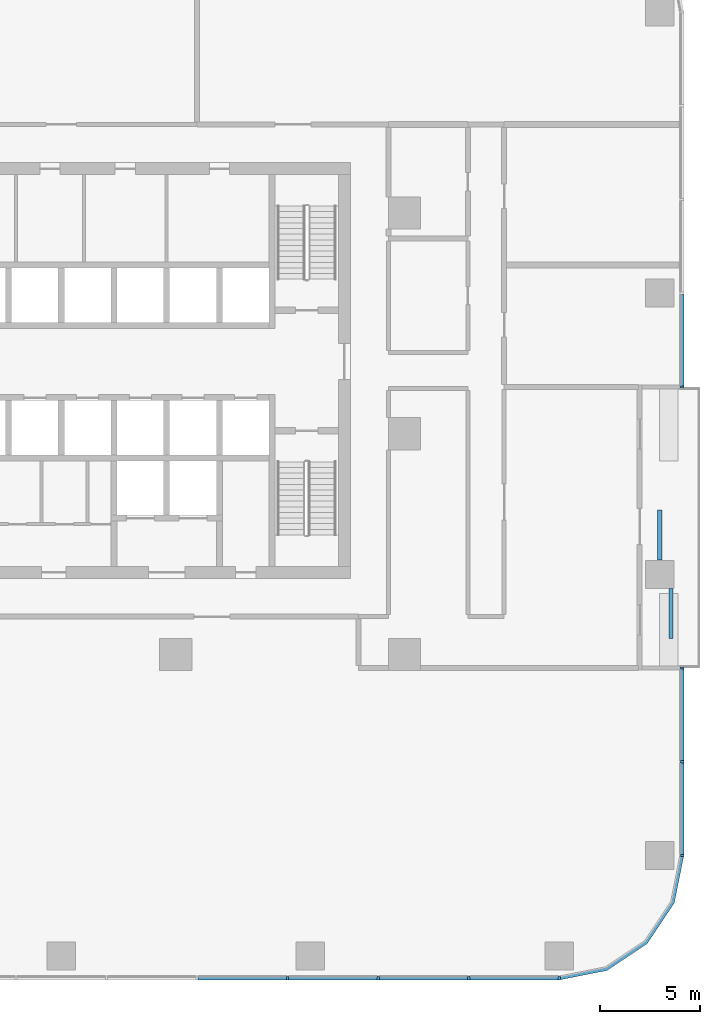
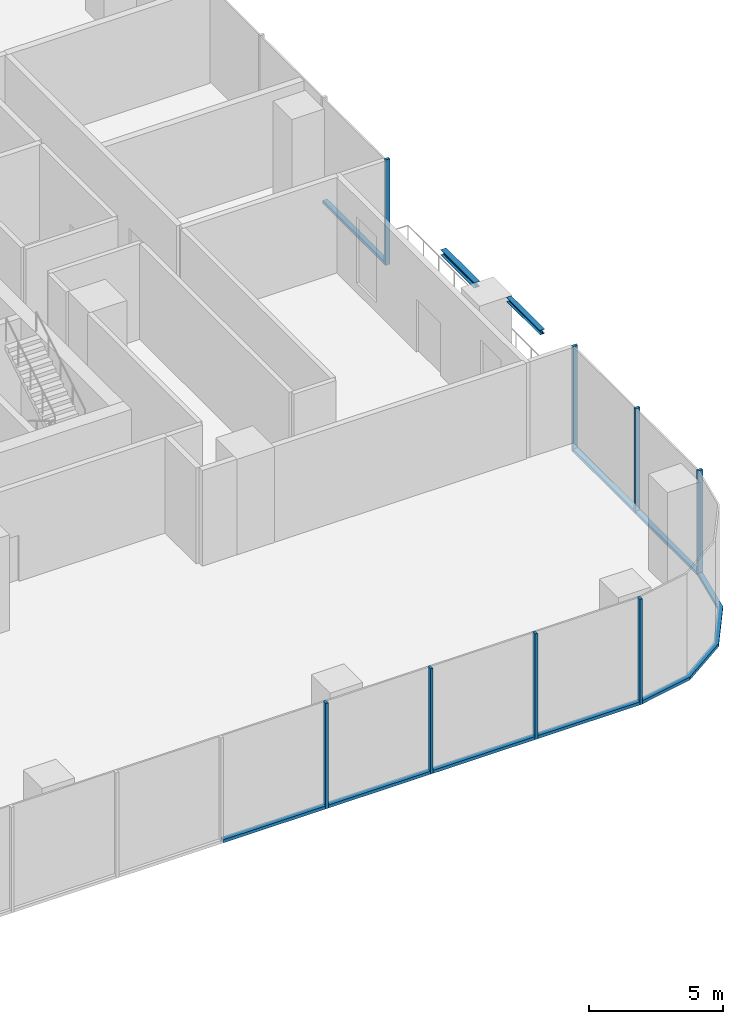
# One storey, part 3 of 14: 16 members, 2 beams, 4 elements without a shape of their own.
"""IFC4 building model written with IfcOpenShell, lengths in metres."""

import ifcopenshell
import ifcopenshell.guid

model = None  # the IFC model being written
_history = None  # IfcOwnerHistory: only IFC2X3 demands one
_inside = {}  # id of a spatial element -> (the spatial element, [elements in it])
_under = {}  # id of a project, library or spatial element -> (it, [spatial elements below it])
_declared = {}  # id of a project -> (the project, [libraries it declares])
_typed = {}  # id of a type object -> (the type object, [elements of that type])
_made_of = {}  # id of a material, layer set ... -> (it, [elements and type objects made of it])


def new_model(schema):
    """Start an empty IFC model of exactly this schema.

    Asked for "IFC4X3", IfcOpenShell would pick the latest addendum, in which some entities
    have other attributes; the version numbers below select the first issue.
    IFC2X3 requires an IfcOwnerHistory on every rooted entity: one is made here for all.
    """
    global model, _history
    if schema == "IFC4X3":
        model = ifcopenshell.file(schema_version=(4, 3, 0, 0))
    else:
        model = ifcopenshell.file(schema=schema)
    _inside.clear()
    _under.clear()
    _declared.clear()
    _typed.clear()
    _made_of.clear()
    _history = None
    if model.schema == "IFC2X3":
        org = make("IfcOrganization", Name="unknown")
        user = make(
            "IfcPersonAndOrganization",
            ThePerson=make("IfcPerson", FamilyName="unknown"),
            TheOrganization=org,
        )
        app = make(
            "IfcApplication",
            ApplicationDeveloper=org,
            Version="unknown",
            ApplicationFullName="unknown",
            ApplicationIdentifier="unknown",
        )
        _history = make(
            "IfcOwnerHistory",
            OwningUser=user,
            OwningApplication=app,
            ChangeAction="ADDED",
            CreationDate=0,
        )
    return model


def make(cls, **values):
    """One entity of the class cls with the attributes given. An attribute that is None is left unset."""
    return model.create_entity(
        cls, **{name: value for name, value in values.items() if value is not None}
    )


def rooted(cls, **values):
    """An entity with a GlobalId (a new one), such as an element, a storey or a relation."""
    return make(cls, GlobalId=ifcopenshell.guid.new(), OwnerHistory=_history, **values)


def si_unit(unit_type, name, prefix=None):
    """IfcSIUnit, for example si_unit("LENGTHUNIT", "METRE", prefix="MILLI")."""
    return make("IfcSIUnit", UnitType=unit_type, Prefix=prefix, Name=name)


def assignment(units):
    """IfcUnitAssignment: the units of a project."""
    return None if units is None else make("IfcUnitAssignment", Units=units)


def point(xyz):
    """IfcCartesianPoint."""
    return None if xyz is None else make("IfcCartesianPoint", Coordinates=xyz)


def direction(xyz):
    """IfcDirection."""
    return None if xyz is None else make("IfcDirection", DirectionRatios=xyz)


def frame(location, z_axis=None, x_axis=None):
    """IfcAxis2Placement3D, a coordinate frame: its origin and axes. An axis left out is left unset."""
    return make(
        "IfcAxis2Placement3D",
        Location=point(location),
        Axis=direction(z_axis),
        RefDirection=direction(x_axis),
    )


def frame_2d(location, x_axis=None):
    """IfcAxis2Placement2D, a coordinate frame in the plane: its origin and x axis."""
    return make(
        "IfcAxis2Placement2D", Location=point(location), RefDirection=direction(x_axis)
    )


def origin():
    """The frame at (0, 0, 0) with its axes left unset."""
    return frame((0.0, 0.0, 0.0))


def origin_2d():
    """The frame at (0, 0) in the plane with its x axis left unset."""
    return frame_2d((0.0, 0.0))


def place(relative_to, where):
    """IfcLocalPlacement: puts the frame where relative to a parent placement (None: the world)."""
    return make(
        "IfcLocalPlacement", PlacementRelTo=relative_to, RelativePlacement=where
    )


def context(
    kind, dimensions, precision=None, world=None, true_north=None, identifier=None
):
    """IfcGeometricRepresentationContext, for example the 3D "Model" context."""
    return make(
        "IfcGeometricRepresentationContext",
        ContextIdentifier=identifier,
        ContextType=kind,
        CoordinateSpaceDimension=dimensions,
        Precision=precision,
        WorldCoordinateSystem=world,
        TrueNorth=true_north,
    )


def subcontext(parent, identifier, kind, view, scale=None):
    """IfcGeometricRepresentationSubContext, for example "Body" below "Model"."""
    return make(
        "IfcGeometricRepresentationSubContext",
        ContextIdentifier=identifier,
        ContextType=kind,
        ParentContext=parent,
        TargetScale=scale,
        TargetView=view,
    )


def project(units=None, contexts=None):
    """IfcProject with its units and contexts."""
    return rooted(
        "IfcProject",
        Name="project",
        RepresentationContexts=contexts,
        UnitsInContext=assignment(units),
    )


def spatial(cls, under=None, at=None, **own):
    """A site, building, storey or space (cls), placed at a placement, below another one or the project."""
    s = rooted(cls, ObjectPlacement=at, **own)
    if under is not None:
        _under.setdefault(under.id(), (under, []))[1].append(s)
    return s


def polyline(points):
    """IfcPolyline through the points."""
    return make("IfcPolyline", Points=[point(p) for p in points])


def profile(cls, at=None, kind="AREA", **sizes):
    """A parametric profile (cls). Its sizes go by their IFC names, for example OverallWidth=200.0."""
    return make(cls, ProfileType=kind, Position=at, **sizes)


def rectangle(**sizes):
    """IfcRectangleProfileDef."""
    return profile("IfcRectangleProfileDef", **sizes)


def i_section(**sizes):
    """IfcIShapeProfileDef."""
    return profile("IfcIShapeProfileDef", **sizes)


def outline(outer, holes=None, kind="AREA"):
    """IfcArbitraryClosedProfileDef: a profile drawn as a closed curve; with holes, ...WithVoids."""
    if holes is None:
        return make("IfcArbitraryClosedProfileDef", ProfileType=kind, OuterCurve=outer)
    return make(
        "IfcArbitraryProfileDefWithVoids",
        ProfileType=kind,
        OuterCurve=outer,
        InnerCurves=holes,
    )


def extrude(swept, where, along, depth):
    """IfcExtrudedAreaSolid: the profile swept, set in the frame where, extruded along a direction by depth."""
    return make(
        "IfcExtrudedAreaSolid",
        SweptArea=swept,
        Position=where,
        ExtrudedDirection=direction(along),
        Depth=depth,
    )


def shape(context_of_items, identifier, shape_type, items):
    """IfcShapeRepresentation: the items that make up one representation, for example the "Body"."""
    return make(
        "IfcShapeRepresentation",
        ContextOfItems=context_of_items,
        RepresentationIdentifier=identifier,
        RepresentationType=shape_type,
        Items=items,
    )


def material(Name=None, Category=None):
    """IfcMaterial."""
    return make("IfcMaterial", Name=Name, Category=Category)


def material_profile(
    of_material, cross_section, Name=None, Category=None, Priority=None
):
    """IfcMaterialProfile: a cross section and its material."""
    return make(
        "IfcMaterialProfile",
        Name=Name,
        Material=of_material,
        Profile=cross_section,
        Priority=Priority,
        Category=Category,
    )


def profile_set(profiles, Name=None, composite=None):
    """IfcMaterialProfileSet."""
    return make(
        "IfcMaterialProfileSet",
        Name=Name,
        MaterialProfiles=profiles,
        CompositeProfile=composite,
    )


def made_of(thing, what):
    """Note that an element or type object is made of a material, layer set ...; save() writes the relation."""
    if what is not None:
        _made_of.setdefault(what.id(), (what, []))[1].append(thing)
    return thing


def type_object(cls, material=None, **own):
    """A type object (cls), such as IfcWallType, which elements share."""
    return made_of(rooted(cls, **own), material)


def element(
    cls,
    number,
    at=None,
    inside=None,
    cuts=None,
    type_object=None,
    material=None,
    context=None,
    identifier="Body",
    shape_type=None,
    held_by="IfcProductDefinitionShape",
    body=None,
    shapes=None,
    **own,
):
    """One element of the class cls, such as IfcWall. Its Tag is "e" and its number.

    at: its placement. inside: the storey or other place that contains it. cuts: it is an
    opening in that element (IfcRelVoidsElement). A single representation is given by context,
    identifier, shape_type and body (its items); several are given by shapes. held_by: the class
    of the entity that holds the representations. save() writes the other relations.
    """
    e = rooted(cls, Tag="e%d" % number, ObjectPlacement=at, **own)
    if body is not None:
        shapes = [shape(context, identifier, shape_type, body)]
    if shapes is not None:
        e.Representation = make(held_by, Representations=shapes)
    if inside is not None:
        _inside.setdefault(inside.id(), (inside, []))[1].append(e)
    if cuts is not None:
        rooted(
            "IfcRelVoidsElement", RelatingBuildingElement=cuts, RelatedOpeningElement=e
        )
    if type_object is not None:
        _typed.setdefault(type_object.id(), (type_object, []))[1].append(e)
    return made_of(e, material)


def aggregate(whole, parts):
    """IfcRelAggregates: a whole, such as a stair, and the parts it consists of."""
    return rooted("IfcRelAggregates", RelatingObject=whole, RelatedObjects=parts)


def save(model, path):
    """Write the relations noted so far, then the file.

    IfcRelAggregates (storeys below a building ...), IfcRelContainedInSpatialStructure (elements
    in a storey), IfcRelDefinesByType, IfcRelAssociatesMaterial and IfcRelDeclares: one each for
    every whole, place, type object, material and project.
    """
    for whole, parts in _under.values():
        aggregate(whole, parts)
    for where, things in _inside.values():
        rooted(
            "IfcRelContainedInSpatialStructure",
            RelatedElements=things,
            RelatingStructure=where,
        )
    for kind, things in _typed.values():
        rooted("IfcRelDefinesByType", RelatedObjects=things, RelatingType=kind)
    for what, things in _made_of.values():
        rooted("IfcRelAssociatesMaterial", RelatedObjects=things, RelatingMaterial=what)
    for by, libraries in _declared.values():
        rooted("IfcRelDeclares", RelatingContext=by, RelatedDefinitions=libraries)
    model.write(path)


model = new_model("IFC4")

# Units and contexts
model_context = context("Model", 3, precision=1e-05, world=origin(), true_north=direction((0.0, 1.0)))
body_context = subcontext(model_context, "Body", "Model", "MODEL_VIEW")
ifc_project = project(units=[si_unit("LENGTHUNIT", "METRE"), si_unit("AREAUNIT", "SQUARE_METRE"), si_unit("VOLUMEUNIT", "CUBIC_METRE"), si_unit("PLANEANGLEUNIT", "RADIAN"), si_unit("MASSUNIT", "GRAM", prefix="KILO")], contexts=[model_context])

# Site, building, storey
site_placement = place(None, origin())
site = spatial("IfcSite", under=ifc_project, at=site_placement, CompositionType="ELEMENT")
building_placement = place(site_placement, origin())
building = spatial("IfcBuilding", under=site, at=building_placement, Name="Mopane Tessera Tower", CompositionType="ELEMENT")
storey_placement = place(building_placement, frame((0.0, 0.0, 50.199951171875)))
storey = spatial("IfcBuildingStorey", under=building, at=storey_placement, Name="L09", CompositionType="ELEMENT", Elevation=50.199951171875)

# Curtain wall, members
ifc_material_1 = material(Name="Aluminium frame", Category="aluminium")
curtain_wall_type = type_object("IfcCurtainWallType", Name="Lower tower unitised wall", PredefinedType="NOTDEFINED", material=ifc_material_1)
curtain_wall_1_placement = place(storey_placement, origin())
curtain_wall_1 = element("IfcCurtainWall", 1, at=curtain_wall_1_placement, inside=storey, type_object=curtain_wall_type, Name="e:cw:L09:S:0", PredefinedType="NOTDEFINED")
ifc_material_2 = material(Name="Aluminium frame", Category="aluminium")
ifc_material_profile_1 = material_profile(ifc_material_2, rectangle(XDim=0.110107421875, YDim=0.199951171875, at=origin_2d()))
ifc_profile_set_1 = profile_set([ifc_material_profile_1], Name="Aluminium frame")
member_type_1 = type_object("IfcMemberType", Name="Aluminium mullion 110 x 200", PredefinedType="MULLION", material=ifc_profile_set_1)
member_1_placement = place(storey_placement, frame((11.272705078125, -27.10009765625, -0.449951171875), z_axis=(0.0, 0.0, 1.0), x_axis=(1.0, 0.0, 0.0)))
member_1 = element("IfcMember", 2, at=member_1_placement, type_object=member_type_1, Name="e:cw:L09:S:0:mu8", PredefinedType="MULLION", context=body_context, shape_type="SweptSolid", body=[
    extrude(rectangle(XDim=0.110107421875, YDim=0.199951171875, at=origin_2d()), origin(), (0.0, 0.0, 1.0), 4.800048828125),
])
member_2_placement = place(storey_placement, frame((15.78173828125, -27.10009765625, -0.449951171875), z_axis=(0.0, 0.0, 1.0), x_axis=(1.0, 0.0, 0.0)))
member_2 = element("IfcMember", 3, at=member_2_placement, type_object=member_type_1, Name="e:cw:L09:S:0:mu9", PredefinedType="MULLION", context=body_context, shape_type="SweptSolid", body=[
    extrude(rectangle(XDim=0.110107421875, YDim=0.199951171875, at=origin_2d()), origin(), (0.0, 0.0, 1.0), 4.800048828125),
])
member_3_placement = place(storey_placement, frame((20.291015625, -27.10009765625, -0.449951171875), z_axis=(0.0, 0.0, 1.0), x_axis=(1.0, 0.0, 0.0)))
member_3 = element("IfcMember", 4, at=member_3_placement, type_object=member_type_1, Name="e:cw:L09:S:0:mu10", PredefinedType="MULLION", context=body_context, shape_type="SweptSolid", body=[
    extrude(rectangle(XDim=0.110107421875, YDim=0.199951171875, at=origin_2d()), origin(), (0.0, 0.0, 1.0), 4.800048828125),
])
member_4_placement = place(storey_placement, frame((24.800048828125, -27.10009765625, -0.449951171875), z_axis=(0.0, 0.0, 1.0), x_axis=(1.0, 0.0, 0.0)))
member_4 = element("IfcMember", 5, at=member_4_placement, type_object=member_type_1, Name="e:cw:L09:S:0:mu11", PredefinedType="MULLION", context=body_context, shape_type="SweptSolid", body=[
    extrude(rectangle(XDim=0.110107421875, YDim=0.199951171875, at=origin_2d()), origin(), (0.0, 0.0, 1.0), 4.800048828125),
])

curtain_wall_2_placement = place(storey_placement, origin())
curtain_wall_2 = element("IfcCurtainWall", 6, at=curtain_wall_2_placement, inside=storey, type_object=curtain_wall_type, Name="e:cw:L09:E:0", PredefinedType="NOTDEFINED")
member_5_placement = place(storey_placement, frame((30.89990234375, -21.0, -0.449951171875), z_axis=(0.0, 0.0, 1.0), x_axis=(0.0, 1.0, 0.0)))
member_5 = element("IfcMember", 7, at=member_5_placement, type_object=member_type_1, Name="e:cw:L09:E:0:mu0", PredefinedType="MULLION", context=body_context, shape_type="SweptSolid", body=[
    extrude(rectangle(XDim=0.110107421875, YDim=0.199951171875, at=origin_2d()), origin(), (0.0, 0.0, 1.0), 4.800048828125),
])
member_6_placement = place(storey_placement, frame((30.89990234375, -16.333251953125, -0.449951171875), z_axis=(0.0, 0.0, 1.0), x_axis=(0.0, 1.0, 0.0)))
member_6 = element("IfcMember", 8, at=member_6_placement, type_object=member_type_1, Name="e:cw:L09:E:0:mu1", PredefinedType="MULLION", context=body_context, shape_type="SweptSolid", body=[
    extrude(rectangle(XDim=0.110107421875, YDim=0.199951171875, at=origin_2d()), origin(), (0.0, 0.0, 1.0), 4.800048828125),
])
member_7_placement = place(storey_placement, frame((30.89990234375, -11.666748046875, -0.449951171875), z_axis=(0.0, 0.0, 1.0), x_axis=(0.0, 1.0, 0.0)))
member_7 = element("IfcMember", 9, at=member_7_placement, type_object=member_type_1, Name="e:cw:L09:E:0:mu2", PredefinedType="MULLION", context=body_context, shape_type="SweptSolid", body=[
    extrude(rectangle(XDim=0.110107421875, YDim=0.199951171875, at=origin_2d()), origin(), (0.0, 0.0, 1.0), 4.800048828125),
])

# Curtain wall, member
curtain_wall_3_placement = place(storey_placement, origin())
curtain_wall_3 = element("IfcCurtainWall", 10, at=curtain_wall_3_placement, inside=storey, type_object=curtain_wall_type, Name="e:cw:L09:E:5", PredefinedType="NOTDEFINED")
member_8_placement = place(storey_placement, frame((30.89990234375, 2.333251953125, -0.449951171875), z_axis=(0.0, 0.0, 1.0), x_axis=(0.0, 1.0, 0.0)))
member_8 = element("IfcMember", 11, at=member_8_placement, type_object=member_type_1, Name="e:cw:L09:E:5:mu5", PredefinedType="MULLION", context=body_context, shape_type="SweptSolid", body=[
    extrude(rectangle(XDim=0.110107421875, YDim=0.199951171875, at=origin_2d()), origin(), (0.0, 0.0, 1.0), 4.800048828125),
])

# Member
ifc_material_3 = material(Name="Aluminium frame", Category="aluminium")
ifc_material_profile_2 = material_profile(ifc_material_3, rectangle(XDim=0.199951171875, YDim=0.139892578125, at=origin_2d()))
ifc_profile_set_2 = profile_set([ifc_material_profile_2], Name="Aluminium frame")
member_type_2 = type_object("IfcMemberType", Name="Aluminium transom 200 x 140", PredefinedType="USERDEFINED", material=ifc_profile_set_2)
member_9_placement = place(storey_placement, frame((6.818603515625, -27.10009765625, -0.3798828125), z_axis=(1.0, 0.0, 0.0), x_axis=(0.0, 1.0, 0.0)))
member_9 = element("IfcMember", 12, at=member_9_placement, type_object=member_type_2, Name="e:cw:L09:S:0:tr7", ObjectType="TRANSOM", PredefinedType="USERDEFINED", context=body_context, shape_type="SweptSolid", body=[
    extrude(rectangle(XDim=0.199951171875, YDim=0.139892578125, at=origin_2d()), origin(), (0.0, 0.0, 1.0), 4.399169921875),
])

member_10_placement = place(storey_placement, frame((11.32763671875, -27.10009765625, -0.3798828125), z_axis=(1.0, 0.0, 0.0), x_axis=(0.0, 1.0, 0.0)))
member_10 = element("IfcMember", 13, at=member_10_placement, type_object=member_type_2, Name="e:cw:L09:S:0:tr8", ObjectType="TRANSOM", PredefinedType="USERDEFINED", context=body_context, shape_type="SweptSolid", body=[
    extrude(rectangle(XDim=0.199951171875, YDim=0.139892578125, at=origin_2d()), origin(), (0.0, 0.0, 1.0), 4.399169921875),
])

member_11_placement = place(storey_placement, frame((15.8369140625, -27.10009765625, -0.3798828125), z_axis=(1.0, 0.0, 0.0), x_axis=(0.0, 1.0, 0.0)))
member_11 = element("IfcMember", 14, at=member_11_placement, type_object=member_type_2, Name="e:cw:L09:S:0:tr9", ObjectType="TRANSOM", PredefinedType="USERDEFINED", context=body_context, shape_type="SweptSolid", body=[
    extrude(rectangle(XDim=0.199951171875, YDim=0.139892578125, at=origin_2d()), origin(), (0.0, 0.0, 1.0), 4.39892578125),
])

member_12_placement = place(storey_placement, frame((20.345947265625, -27.10009765625, -0.3798828125), z_axis=(1.0, 0.0, 0.0), x_axis=(0.0, 1.0, 0.0)))
member_12 = element("IfcMember", 15, at=member_12_placement, type_object=member_type_2, Name="e:cw:L09:S:0:tr10", ObjectType="TRANSOM", PredefinedType="USERDEFINED", context=body_context, shape_type="SweptSolid", body=[
    extrude(rectangle(XDim=0.199951171875, YDim=0.139892578125, at=origin_2d()), origin(), (0.0, 0.0, 1.0), 4.399169921875),
])

aggregate(curtain_wall_1, [member_1, member_2, member_3, member_4, member_9, member_10, member_11, member_12])

# Curtain wall, member
curtain_wall_4_placement = place(storey_placement, origin())
curtain_wall_4 = element("IfcCurtainWall", 16, at=curtain_wall_4_placement, inside=storey, type_object=curtain_wall_type, Name="e:cw:L09:CS", PredefinedType="NOTDEFINED")
member_13_placement = place(storey_placement, frame((0.0, 0.0, -0.449951171875)))
member_13 = element("IfcMember", 17, at=member_13_placement, type_object=member_type_2, Name="e:cw:L09:CS:tr", ObjectType="TRANSOM", PredefinedType="USERDEFINED", context=body_context, shape_type="SweptSolid", body=[
    extrude(outline(polyline([(24.800048828125, -27.0), (27.09619140625, -26.543212890625), (29.042724609375, -25.24267578125), (30.34326171875, -23.296142578125), (30.800048828125, -21.0), (31.0, -21.0), (30.528076171875, -23.37255859375), (29.18408203125, -25.384033203125), (27.172607421875, -26.72802734375), (24.800048828125, -27.199951171875), (24.800048828125, -27.0)])), origin(), (0.0, 0.0, 1.0), 0.139892578125),
])
aggregate(curtain_wall_4, [member_13])

# Member
member_14_placement = place(storey_placement, frame((30.89990234375, -20.945068359375, -0.3798828125), z_axis=(0.0, 1.0, 0.0), x_axis=(-1.0, 0.0, 0.0)))
member_14 = element("IfcMember", 18, at=member_14_placement, type_object=member_type_2, Name="e:cw:L09:E:0:tr0", ObjectType="TRANSOM", PredefinedType="USERDEFINED", context=body_context, shape_type="SweptSolid", body=[
    extrude(rectangle(XDim=0.199951171875, YDim=0.139892578125, at=origin_2d()), origin(), (0.0, 0.0, 1.0), 4.556640625),
])

member_15_placement = place(storey_placement, frame((30.89990234375, -16.2783203125, -0.3798828125), z_axis=(0.0, 1.0, 0.0), x_axis=(-1.0, 0.0, 0.0)))
member_15 = element("IfcMember", 19, at=member_15_placement, type_object=member_type_2, Name="e:cw:L09:E:0:tr1", ObjectType="TRANSOM", PredefinedType="USERDEFINED", context=body_context, shape_type="SweptSolid", body=[
    extrude(rectangle(XDim=0.199951171875, YDim=0.139892578125, at=origin_2d()), origin(), (0.0, 0.0, 1.0), 4.556640625),
])

aggregate(curtain_wall_2, [member_5, member_6, member_7, member_14, member_15])

member_16_placement = place(storey_placement, frame((30.89990234375, 2.388427734375, -0.3798828125), z_axis=(0.0, 1.0, 0.0), x_axis=(-1.0, 0.0, 0.0)))
member_16 = element("IfcMember", 20, at=member_16_placement, type_object=member_type_2, Name="e:cw:L09:E:5:tr5", ObjectType="TRANSOM", PredefinedType="USERDEFINED", context=body_context, shape_type="SweptSolid", body=[
    extrude(rectangle(XDim=0.199951171875, YDim=0.139892578125, at=origin_2d()), origin(), (0.0, 0.0, 1.0), 4.556640625),
])

aggregate(curtain_wall_3, [member_8, member_16])

# Beams
ifc_material_4 = material(Name="Structural steel S460", Category="steel")
ifc_material_profile_3 = material_profile(ifc_material_4, i_section(OverallWidth=0.239990234375, OverallDepth=0.239990234375, WebThickness=0.010009765625, FlangeThickness=0.01708984375, FilletRadius=0.02099609375, at=origin_2d()))
ifc_profile_set_3 = profile_set([ifc_material_profile_3], Name="Structural steel S460")
beam_type_1 = type_object("IfcBeamType", Name="Terrace spandrel beam HE 240 B", PredefinedType="SPANDREL", material=ifc_profile_set_3)
beam_1_placement = place(storey_placement, frame((29.800048828125, -6.297119140625, 4.22998046875), z_axis=(0.0, 1.0, 0.0), x_axis=(-1.0, 0.0, 0.0)))
element("IfcBeam", 21, at=beam_1_placement, inside=storey, type_object=beam_type_1, Name="Terrace spandrel beam N1 L10", PredefinedType="SPANDREL", context=body_context, shape_type="SweptSolid", body=[
    extrude(i_section(OverallWidth=0.239990234375, OverallDepth=0.239990234375, WebThickness=0.010009765625, FlangeThickness=0.01708984375, FilletRadius=0.02099609375, at=origin_2d()), origin(), (0.0, 0.0, 1.0), 2.5),
])
ifc_material_5 = material(Name="Structural steel S460", Category="steel")
ifc_material_profile_4 = material_profile(ifc_material_5, i_section(OverallWidth=0.199951171875, OverallDepth=0.199951171875, WebThickness=0.009033203125, FlangeThickness=0.014892578125, FilletRadius=0.01806640625, at=origin_2d()))
ifc_profile_set_4 = profile_set([ifc_material_profile_4], Name="Structural steel S460")
beam_type_2 = type_object("IfcBeamType", Name="Terrace trimmer beam HE 200 B", PredefinedType="BEAM", material=ifc_profile_set_4)
beam_2_placement = place(storey_placement, frame((30.360107421875, -7.702880859375, 4.25), z_axis=(0.0, -1.0, 0.0), x_axis=(1.0, 0.0, 0.0)))
element("IfcBeam", 22, at=beam_2_placement, inside=storey, type_object=beam_type_2, Name="Terrace trimmer beam N1 L10", PredefinedType="BEAM", context=body_context, shape_type="SweptSolid", body=[
    extrude(i_section(OverallWidth=0.199951171875, OverallDepth=0.199951171875, WebThickness=0.009033203125, FlangeThickness=0.014892578125, FilletRadius=0.01806640625, at=origin_2d()), origin(), (0.0, 0.0, 1.0), 2.5),
])

save(model, "model.ifc")
